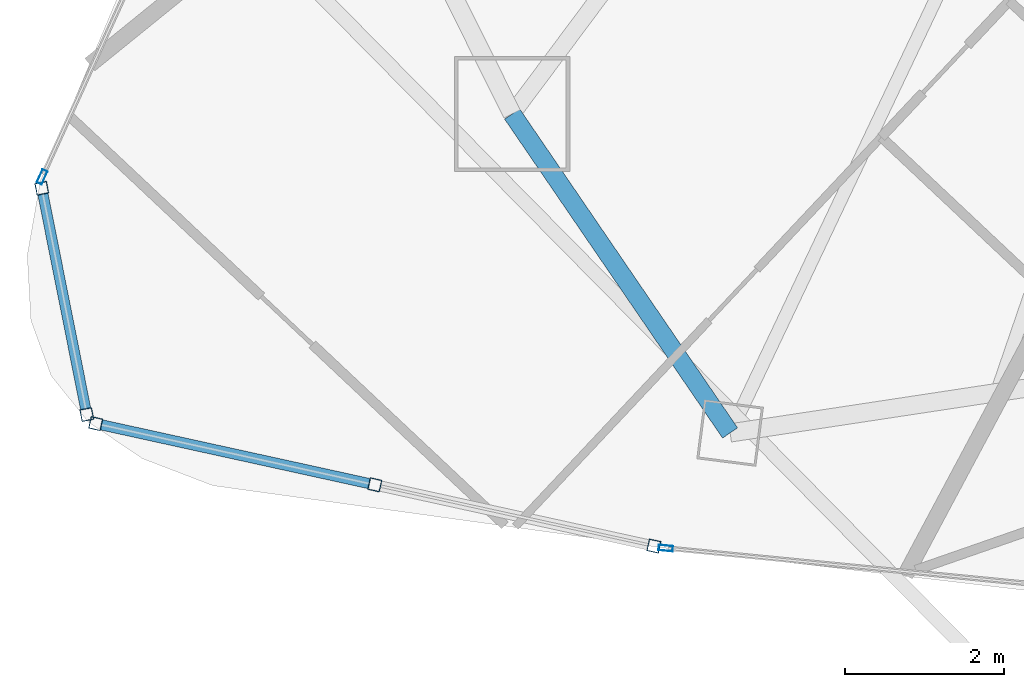
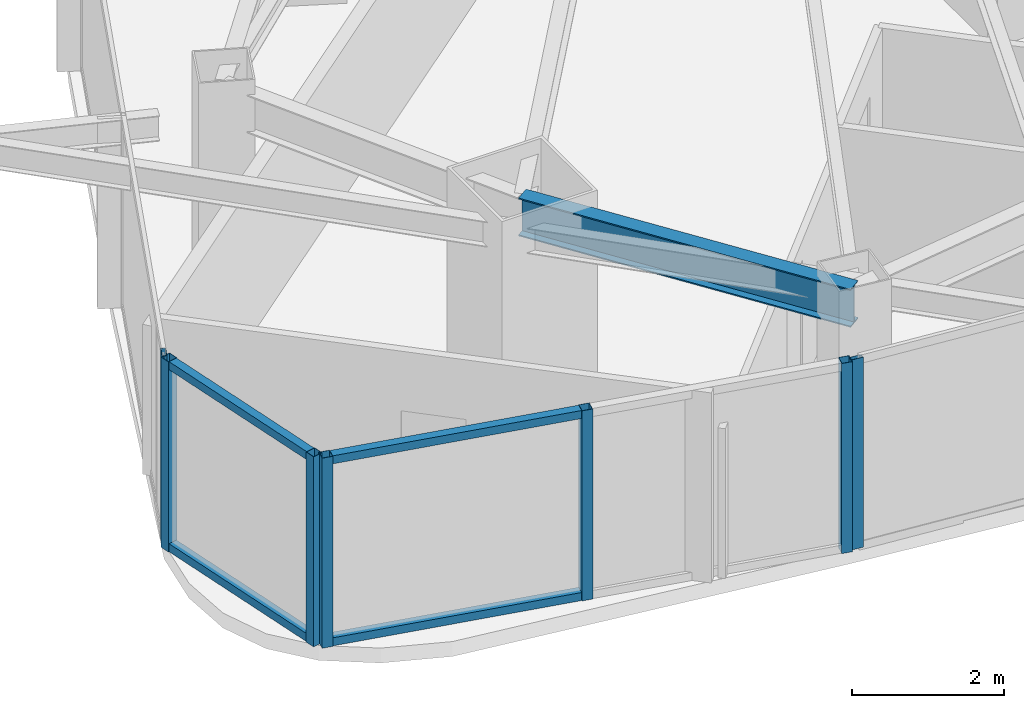
# One storey, part 2 of 29: 11 members, 1 beam, 4 elements without a shape of their own.
"""IFC4 building model written with IfcOpenShell, lengths in metres."""

from ifc_helpers import new_model, si_unit, direction, frame, origin, origin_2d, place, context, subcontext, project, spatial, hollow_rectangle, i_section, extrude, material, layer, layer_set, material_profile, profile_set, type_object, element, aggregate, save


model = new_model("IFC4")

# Units and contexts
model_context = context("Model", 3, precision=1e-05, world=origin(), true_north=direction((0.0, 1.0)))
body_context = subcontext(model_context, "Body", "Model", "MODEL_VIEW")
ifc_project = project(units=[si_unit("LENGTHUNIT", "METRE"), si_unit("AREAUNIT", "SQUARE_METRE"), si_unit("VOLUMEUNIT", "CUBIC_METRE"), si_unit("PLANEANGLEUNIT", "RADIAN"), si_unit("MASSUNIT", "GRAM", prefix="KILO")], contexts=[model_context])

# Site, building, storey
site_placement = place(None, origin())
site = spatial("IfcSite", under=ifc_project, at=site_placement, CompositionType="ELEMENT")
building_placement = place(site_placement, origin())
building = spatial("IfcBuilding", under=site, at=building_placement, Name="Orvanel Arch Residences", CompositionType="ELEMENT")
storey_placement = place(building_placement, frame((0.0, 0.0, 167.14990234375)))
storey = spatial("IfcBuildingStorey", under=building, at=storey_placement, Name="L47", CompositionType="ELEMENT", Elevation=167.14990234375)

# Curtain wall, members
ifc_material_1 = material(Name="Bronze-anodised aluminium AA6063-T6", Category="aluminium")
ifc_layer_1 = layer(ifc_material_1, 0.18994140625)
ifc_layer_set_1 = layer_set([ifc_layer_1], Name="Bronze-anodised aluminium AA6063-T6")
curtain_wall_type_1 = type_object("IfcCurtainWallType", Name="CW5-CRN-SYS", PredefinedType="NOTDEFINED", material=ifc_layer_set_1)
curtain_wall_1_placement = place(storey_placement, origin())
curtain_wall_1 = element("IfcCurtainWall", 1, at=curtain_wall_1_placement, inside=storey, type_object=curtain_wall_type_1, Name="L47 CW5-CRN-SYS Unitised Curtain Wall", PredefinedType="NOTDEFINED")
ifc_material_profile_1 = material_profile(ifc_material_1, hollow_rectangle(XDim=0.14990234375, YDim=0.14990234375, WallThickness=0.0048828125, at=origin_2d()), Name="ALU150x150x5")
ifc_profile_set_1 = profile_set([ifc_material_profile_1], Name="Bronze-anodised aluminium AA6063-T6")
member_type_1 = type_object("IfcMemberType", Name="MUL-150x150", PredefinedType="MULLION", material=ifc_profile_set_1)
member_1_placement = place(storey_placement, frame((8.28271484375, 9.41650390625, 0.0), z_axis=(0.0, 0.0, 1.0), x_axis=(0.980744173157, 0.195296868429, 0.0)))
member_1 = element("IfcMember", 2, at=member_1_placement, type_object=member_type_1, Name="CW-S5 mullion 1", PredefinedType="MULLION", context=body_context, shape_type="SweptSolid", body=[
    extrude(hollow_rectangle(XDim=0.14990234375, YDim=0.14990234375, WallThickness=0.0048828125, at=origin_2d()), origin(), (0.0, 0.0, 1.0), 3.06005859375),
])
member_2_placement = place(storey_placement, frame((8.849365234375, 6.570556640625, 0.0), z_axis=(0.0, 0.0, 1.0), x_axis=(0.980744173157, 0.195296868429, 0.0)))
member_2 = element("IfcMember", 3, at=member_2_placement, type_object=member_type_1, Name="CW-S5 mullion 2", PredefinedType="MULLION", context=body_context, shape_type="SweptSolid", body=[
    extrude(hollow_rectangle(XDim=0.14990234375, YDim=0.14990234375, WallThickness=0.0048828125, at=origin_2d()), origin(), (0.0, 0.0, 1.0), 3.06005859375),
])

curtain_wall_2_placement = place(storey_placement, origin())
curtain_wall_2 = element("IfcCurtainWall", 4, at=curtain_wall_2_placement, inside=storey, type_object=curtain_wall_type_1, Name="L47 CW5-CRN-SYS Unitised Curtain Wall", PredefinedType="NOTDEFINED")
member_3_placement = place(storey_placement, frame((8.961181640625, 6.45703125, 0.0), z_axis=(0.0, 0.0, 1.0), x_axis=(0.214347049523, 0.976757565807, 0.0)))
member_3 = element("IfcMember", 5, at=member_3_placement, type_object=member_type_1, Name="CW-S5 mullion 1", PredefinedType="MULLION", context=body_context, shape_type="SweptSolid", body=[
    extrude(hollow_rectangle(XDim=0.14990234375, YDim=0.14990234375, WallThickness=0.0048828125, at=origin_2d()), origin(), (0.0, 0.0, 1.0), 3.06005859375),
])
member_4_placement = place(storey_placement, frame((12.471923828125, 5.6865234375, 0.0), z_axis=(0.0, 0.0, 1.0), x_axis=(0.214347049523, 0.976757565807, 0.0)))
member_4 = element("IfcMember", 6, at=member_4_placement, type_object=member_type_1, Name="CW-S5 mullion 2", PredefinedType="MULLION", context=body_context, shape_type="SweptSolid", body=[
    extrude(hollow_rectangle(XDim=0.14990234375, YDim=0.14990234375, WallThickness=0.0048828125, at=origin_2d()), origin(), (0.0, 0.0, 1.0), 3.06005859375),
])
member_5_placement = place(storey_placement, frame((15.982666015625, 4.916015625, 0.0), z_axis=(0.0, 0.0, 1.0), x_axis=(0.214347049523, 0.976757565807, 0.0)))
member_5 = element("IfcMember", 7, at=member_5_placement, type_object=member_type_1, Name="CW-S5 mullion 3", PredefinedType="MULLION", context=body_context, shape_type="SweptSolid", body=[
    extrude(hollow_rectangle(XDim=0.14990234375, YDim=0.14990234375, WallThickness=0.0048828125, at=origin_2d()), origin(), (0.0, 0.0, 1.0), 3.06005859375),
])

# Curtain wall, member
ifc_layer_2 = layer(ifc_material_1, 0.179931640625)
ifc_layer_set_2 = layer_set([ifc_layer_2], Name="Bronze-anodised aluminium AA6063-T6")
curtain_wall_type_2 = type_object("IfcCurtainWallType", Name="CW3-MID-SYS", PredefinedType="NOTDEFINED", material=ifc_layer_set_2)
curtain_wall_3_placement = place(storey_placement, origin())
curtain_wall_3 = element("IfcCurtainWall", 8, at=curtain_wall_3_placement, inside=storey, type_object=curtain_wall_type_2, Name="L47 CW3-MID-SYS Unitised Curtain Wall", PredefinedType="NOTDEFINED")
ifc_material_profile_2 = material_profile(ifc_material_1, hollow_rectangle(XDim=0.070068359375, YDim=0.179931640625, WallThickness=0.00439453125, at=origin_2d()), Name="ALU180x70x4.5")
ifc_profile_set_2 = profile_set([ifc_material_profile_2], Name="Bronze-anodised aluminium AA6063-T6")
member_type_2 = type_object("IfcMemberType", Name="MUL-180x70", PredefinedType="MULLION", material=ifc_profile_set_2)
member_6_placement = place(storey_placement, frame((8.286376953125, 9.559814453125, 0.0), z_axis=(0.0, 0.0, 1.0), x_axis=(0.910745569556, -0.412967925551, 0.0)))
member_6 = element("IfcMember", 9, at=member_6_placement, type_object=member_type_2, Name="CW-S3 mullion 4", PredefinedType="MULLION", context=body_context, shape_type="SweptSolid", body=[
    extrude(hollow_rectangle(XDim=0.070068359375, YDim=0.179931640625, WallThickness=0.00439453125, at=origin_2d()), origin(), (0.0, 0.0, 1.0), 3.06005859375),
])
aggregate(curtain_wall_3, [member_6])

curtain_wall_4_placement = place(storey_placement, origin())
curtain_wall_4 = element("IfcCurtainWall", 10, at=curtain_wall_4_placement, inside=storey, type_object=curtain_wall_type_2, Name="L47 CW3-MID-SYS Unitised Curtain Wall", PredefinedType="NOTDEFINED")
member_7_placement = place(storey_placement, frame((16.130859375, 4.890625, 0.0), z_axis=(0.0, 0.0, 1.0), x_axis=(0.097286031613, 0.995256463457, 0.0)))
member_7 = element("IfcMember", 11, at=member_7_placement, type_object=member_type_2, Name="CW-S3 mullion 1", PredefinedType="MULLION", context=body_context, shape_type="SweptSolid", body=[
    extrude(hollow_rectangle(XDim=0.070068359375, YDim=0.179931640625, WallThickness=0.00439453125, at=origin_2d()), origin(), (0.0, 0.0, 1.0), 3.06005859375),
])
aggregate(curtain_wall_4, [member_7])

# Beam
ifc_material_2 = material(Name="Structural steel AS/NZS 3679.1 Grade 300 (300 MPa)", Category="steel")
ifc_material_profile_3 = material_profile(ifc_material_2, i_section(OverallWidth=0.22900390625, OverallDepth=0.612060546875, WebThickness=0.011962890625, FlangeThickness=0.01953125, at=origin_2d()), Name="610UB125")
ifc_profile_set_3 = profile_set([ifc_material_profile_3], Name="Structural steel AS/NZS 3679.1 Grade 300 (300 MPa)")
beam_type = type_object("IfcBeamType", Name="SP-610UB", PredefinedType="SPANDREL", material=ifc_profile_set_3)
beam_placement = place(storey_placement, frame((14.198974609375, 10.35107421875, 2.754150390625), z_axis=(0.564251579852, -0.825602903722, 0.0), x_axis=(0.825602903722, 0.564251579852, 0.0)))
element("IfcBeam", 12, at=beam_placement, inside=storey, type_object=beam_type, Name="L47 Perimeter Spandrel Beam 03", PredefinedType="SPANDREL", context=body_context, shape_type="SweptSolid", body=[
    extrude(i_section(OverallWidth=0.22900390625, OverallDepth=0.612060546875, WebThickness=0.011962890625, FlangeThickness=0.01953125, at=origin_2d()), origin(), (0.0, 0.0, 1.0), 4.859375),
])

# Member
ifc_material_profile_4 = material_profile(ifc_material_1, hollow_rectangle(XDim=0.1298828125, YDim=0.1298828125, WallThickness=0.00439453125, at=origin_2d()), Name="ALU130x130x4.5")
ifc_profile_set_4 = profile_set([ifc_material_profile_4], Name="Bronze-anodised aluminium AA6063-T6")
member_type_3 = type_object("IfcMemberType", Name="TRN-130x130", PredefinedType="USERDEFINED", material=ifc_profile_set_4)
member_8_placement = place(storey_placement, frame((8.29736328125, 9.3427734375, 0.065185546875), z_axis=(0.19528001723, -0.980747528608, 0.0), x_axis=(0.980747528608, 0.19528001723, 0.0)))
member_8 = element("IfcMember", 13, at=member_8_placement, type_object=member_type_3, Name="CW-S5 transom 1.1", ObjectType="TRANSOM", PredefinedType="USERDEFINED", context=body_context, shape_type="SweptSolid", body=[
    extrude(hollow_rectangle(XDim=0.1298828125, YDim=0.1298828125, WallThickness=0.00439453125, at=origin_2d()), origin(), (0.0, 0.0, 1.0), 2.751708984375),
])

member_9_placement = place(storey_placement, frame((8.29736328125, 9.3427734375, 2.9951171875), z_axis=(0.19528001723, -0.980747528608, 0.0), x_axis=(0.980747528608, 0.19528001723, 0.0)))
member_9 = element("IfcMember", 14, at=member_9_placement, type_object=member_type_3, Name="CW-S5 transom 1.2", ObjectType="TRANSOM", PredefinedType="USERDEFINED", context=body_context, shape_type="SweptSolid", body=[
    extrude(hollow_rectangle(XDim=0.1298828125, YDim=0.1298828125, WallThickness=0.00439453125, at=origin_2d()), origin(), (0.0, 0.0, 1.0), 2.751708984375),
])

aggregate(curtain_wall_1, [member_1, member_2, member_8, member_9])

member_10_placement = place(storey_placement, frame((9.034423828125, 6.44091796875, 0.065185546875), z_axis=(0.976757375333, -0.21434791749, 0.0), x_axis=(0.21434791749, 0.976757375333, 0.0)))
member_10 = element("IfcMember", 15, at=member_10_placement, type_object=member_type_3, Name="CW-S5 transom 1.1", ObjectType="TRANSOM", PredefinedType="USERDEFINED", context=body_context, shape_type="SweptSolid", body=[
    extrude(hollow_rectangle(XDim=0.1298828125, YDim=0.1298828125, WallThickness=0.00439453125, at=origin_2d()), origin(), (0.0, 0.0, 1.0), 3.4443359375),
])

member_11_placement = place(storey_placement, frame((9.034423828125, 6.44091796875, 2.9951171875), z_axis=(0.976757375333, -0.21434791749, 0.0), x_axis=(0.21434791749, 0.976757375333, 0.0)))
member_11 = element("IfcMember", 16, at=member_11_placement, type_object=member_type_3, Name="CW-S5 transom 1.2", ObjectType="TRANSOM", PredefinedType="USERDEFINED", context=body_context, shape_type="SweptSolid", body=[
    extrude(hollow_rectangle(XDim=0.1298828125, YDim=0.1298828125, WallThickness=0.00439453125, at=origin_2d()), origin(), (0.0, 0.0, 1.0), 3.4443359375),
])

aggregate(curtain_wall_2, [member_3, member_4, member_5, member_10, member_11])

save(model, "model.ifc")
